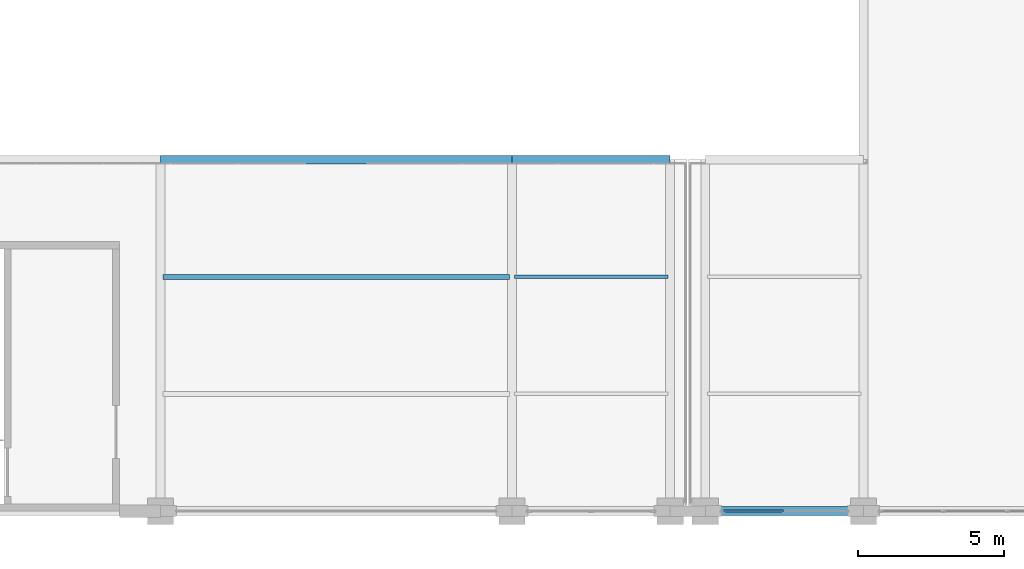
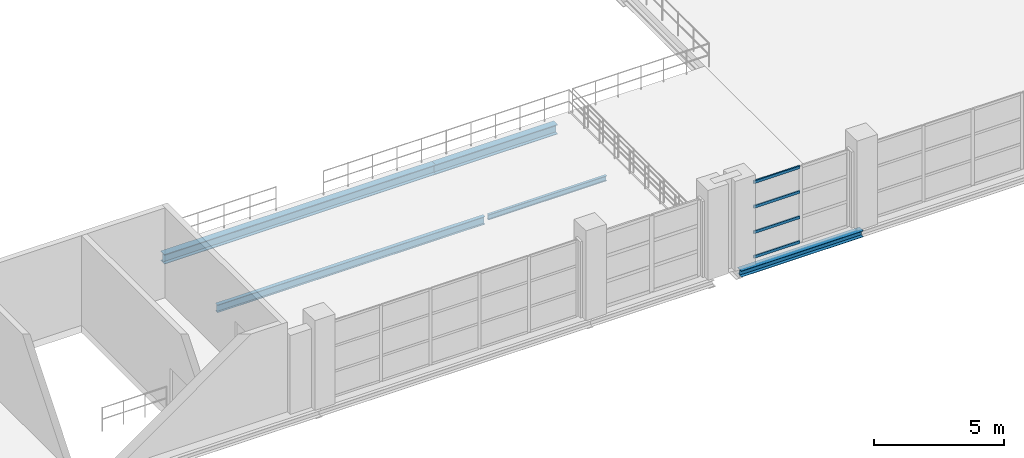
# One storey, part 69 of 158: 5 beams, 4 members, 1 element without a shape of its own.
"""IFC4 building model written with IfcOpenShell, lengths in metres."""

from ifc_helpers import new_model, si_unit, direction, frame, origin, origin_2d, place, context, subcontext, project, spatial, hollow_rectangle, i_section, extrude, material, layer, layer_set, material_profile, profile_set, type_object, element, aggregate, save


model = new_model("IFC4")

# Units and contexts
model_context = context("Model", 3, precision=1e-05, world=origin(), true_north=direction((0.0, 1.0)))
body_context = subcontext(model_context, "Body", "Model", "MODEL_VIEW")
ifc_project = project(units=[si_unit("LENGTHUNIT", "METRE"), si_unit("AREAUNIT", "SQUARE_METRE"), si_unit("VOLUMEUNIT", "CUBIC_METRE"), si_unit("PLANEANGLEUNIT", "RADIAN"), si_unit("MASSUNIT", "GRAM", prefix="KILO")], contexts=[model_context])

# Site, building, storey
site_placement = place(None, origin())
site = spatial("IfcSite", under=ifc_project, at=site_placement, CompositionType="ELEMENT")
building_placement = place(site_placement, origin())
building = spatial("IfcBuilding", under=site, at=building_placement, Name="Zilviju Railside Exhibition Hall", CompositionType="ELEMENT")
storey_placement = place(building_placement, frame((0.0, 0.0, 4.199951171875)))
storey = spatial("IfcBuildingStorey", under=building, at=storey_placement, Name="L02", CompositionType="ELEMENT", Elevation=4.199951171875)

# Beams
ifc_material_1 = material(Name="Steel S355J2", Category="steel")
ifc_material_profile_1 = material_profile(ifc_material_1, i_section(OverallWidth=0.300048828125, OverallDepth=0.2900390625, WebThickness=0.008544921875, FlangeThickness=0.013916015625, at=origin_2d()), Name="HEA 300")
ifc_profile_set_1 = profile_set([ifc_material_profile_1], Name="Steel S355J2")
beam_type_1 = type_object("IfcBeamType", Name="BM-HEA300", PredefinedType="SPANDREL", material=ifc_profile_set_1)
beam_1_placement = place(storey_placement, frame((174.60009765625, 0.0, -0.474853515625), z_axis=(1.0, 0.0, 0.0), x_axis=(0.0, 1.0, 0.0)))
element("IfcBeam", 1, at=beam_1_placement, inside=storey, type_object=beam_type_1, Name="Primary Girder L02 Y=0.0 (174.6..180.0)", PredefinedType="SPANDREL", context=body_context, shape_type="SweptSolid", body=[
    extrude(i_section(OverallWidth=0.300048828125, OverallDepth=0.2900390625, WebThickness=0.008544921875, FlangeThickness=0.013916015625, at=origin_2d()), origin(), (0.0, 0.0, 1.0), 5.39990234375),
])
ifc_material_profile_2 = material_profile(ifc_material_1, i_section(OverallWidth=0.300048828125, OverallDepth=0.449951171875, WebThickness=0.013916015625, FlangeThickness=0.02587890625, at=origin_2d()), Name="HEB 450")
ifc_profile_set_2 = profile_set([ifc_material_profile_2], Name="Steel S355J2")
beam_type_2 = type_object("IfcBeamType", Name="BM-HEB450", PredefinedType="BEAM", material=ifc_profile_set_2)
beam_2_placement = place(storey_placement, frame((156.0, 12.0, -0.554931640625), z_axis=(1.0, 0.0, 0.0), x_axis=(0.0, 1.0, 0.0)))
element("IfcBeam", 2, at=beam_2_placement, inside=storey, type_object=beam_type_2, Name="Primary Girder L02 Y=12.0 (156.0..168.0)", PredefinedType="BEAM", context=body_context, shape_type="SweptSolid", body=[
    extrude(i_section(OverallWidth=0.300048828125, OverallDepth=0.449951171875, WebThickness=0.013916015625, FlangeThickness=0.02587890625, at=origin_2d()), origin(), (0.0, 0.0, 1.0), 12.0),
])
beam_3_placement = place(storey_placement, frame((168.0, 12.0, -0.554931640625), z_axis=(1.0, 0.0, 0.0), x_axis=(0.0, 1.0, 0.0)))
element("IfcBeam", 3, at=beam_3_placement, inside=storey, type_object=beam_type_2, Name="Primary Girder L02 Y=12.0 (168.0..173.4)", PredefinedType="BEAM", context=body_context, shape_type="SweptSolid", body=[
    extrude(i_section(OverallWidth=0.300048828125, OverallDepth=0.449951171875, WebThickness=0.013916015625, FlangeThickness=0.02587890625, at=origin_2d()), origin(), (0.0, 0.0, 1.0), 5.39990234375),
])
ifc_material_profile_3 = material_profile(ifc_material_1, i_section(OverallWidth=0.1201171875, OverallDepth=0.239990234375, WebThickness=0.006103515625, FlangeThickness=0.009765625, at=origin_2d()), Name="IPE 240")
ifc_profile_set_3 = profile_set([ifc_material_profile_3], Name="Steel S355J2")
beam_type_3 = type_object("IfcBeamType", Name="BM-IPE240", PredefinedType="JOIST", material=ifc_profile_set_3)
beam_4_placement = place(storey_placement, frame((168.080078125, 8.0, -0.449951171875), z_axis=(1.0, 0.0, 0.0), x_axis=(0.0, 1.0, 0.0)))
element("IfcBeam", 4, at=beam_4_placement, inside=storey, type_object=beam_type_3, Name="Composite Floor Joist L02 Y=8.00 (168.0..173.4)", PredefinedType="JOIST", context=body_context, shape_type="SweptSolid", body=[
    extrude(i_section(OverallWidth=0.1201171875, OverallDepth=0.239990234375, WebThickness=0.006103515625, FlangeThickness=0.009765625, at=origin_2d()), origin(), (0.0, 0.0, 1.0), 5.239990234375),
])
ifc_material_profile_4 = material_profile(ifc_material_1, i_section(OverallWidth=0.169921875, OverallDepth=0.360107421875, WebThickness=0.008056640625, FlangeThickness=0.0126953125, at=origin_2d()), Name="IPE 360")
ifc_profile_set_4 = profile_set([ifc_material_profile_4], Name="Steel S355J2")
beam_type_4 = type_object("IfcBeamType", Name="BM-IPE360", PredefinedType="JOIST", material=ifc_profile_set_4)
beam_5_placement = place(storey_placement, frame((156.080078125, 8.0, -0.510009765625), z_axis=(1.0, 0.0, 0.0), x_axis=(0.0, 1.0, 0.0)))
element("IfcBeam", 5, at=beam_5_placement, inside=storey, type_object=beam_type_4, Name="Composite Floor Joist L02 Y=8.00 (156.0..168.0)", PredefinedType="JOIST", context=body_context, shape_type="SweptSolid", body=[
    extrude(i_section(OverallWidth=0.169921875, OverallDepth=0.360107421875, WebThickness=0.008056640625, FlangeThickness=0.0126953125, at=origin_2d()), origin(), (0.0, 0.0, 1.0), 11.83984375),
])

# Curtain wall, members
ifc_material_2 = material(Name="Thermally broken aluminium-steel triple-glazed curtain wall", Category="steel")
ifc_layer = layer(ifc_material_2, 0.179931640625)
ifc_layer_set = layer_set([ifc_layer], Name="Thermally broken aluminium-steel triple-glazed curtain wall")
curtain_wall_type = type_object("IfcCurtainWallType", Name="CW-BAY-14", PredefinedType="USERDEFINED", material=ifc_layer_set)
curtain_wall_placement = place(storey_placement, origin())
curtain_wall = element("IfcCurtainWall", 6, at=curtain_wall_placement, inside=storey, type_object=curtain_wall_type, Name="South Hall Facade Curtain Wall L02 (175..180)", ObjectType="GLAZED CURTAIN WALL", PredefinedType="USERDEFINED")
ifc_material_3 = material(Name="Thermally broken anodized aluminium transom", Category="aluminium")
ifc_material_profile_5 = material_profile(ifc_material_3, hollow_rectangle(XDim=0.06494140625, YDim=0.1298828125, WallThickness=0.0048828125, at=origin_2d()), Name="TRANSOM 130x65x5")
ifc_profile_set_5 = profile_set([ifc_material_profile_5], Name="Thermally broken anodized aluminium transom")
member_type = type_object("IfcMemberType", Name="CWT-65x130", PredefinedType="USERDEFINED", material=ifc_profile_set_5)
member_1_placement = place(storey_placement, frame((177.267578125, 0.0, 0.032470703125), z_axis=(-1.0, 0.0, 0.0), x_axis=(0.0, -1.0, 0.0)))
member_1 = element("IfcMember", 7, at=member_1_placement, type_object=member_type, Name="CW-14 transom 2.1", ObjectType="TRANSOM", PredefinedType="USERDEFINED", context=body_context, shape_type="SweptSolid", body=[
    extrude(hollow_rectangle(XDim=0.06494140625, YDim=0.1298828125, WallThickness=0.0048828125, at=origin_2d()), origin(), (0.0, 0.0, 1.0), 2.052490234375),
])
member_2_placement = place(storey_placement, frame((177.267578125, 0.0, 1.18701171875), z_axis=(-1.0, 0.0, 0.0), x_axis=(0.0, -1.0, 0.0)))
member_2 = element("IfcMember", 8, at=member_2_placement, type_object=member_type, Name="CW-14 transom 2.2", ObjectType="TRANSOM", PredefinedType="USERDEFINED", context=body_context, shape_type="SweptSolid", body=[
    extrude(hollow_rectangle(XDim=0.06494140625, YDim=0.1298828125, WallThickness=0.0048828125, at=origin_2d()), origin(), (0.0, 0.0, 1.0), 2.052490234375),
])
member_3_placement = place(storey_placement, frame((177.267578125, 0.0, 2.373046875), z_axis=(-1.0, 0.0, 0.0), x_axis=(0.0, -1.0, 0.0)))
member_3 = element("IfcMember", 9, at=member_3_placement, type_object=member_type, Name="CW-14 transom 2.3", ObjectType="TRANSOM", PredefinedType="USERDEFINED", context=body_context, shape_type="SweptSolid", body=[
    extrude(hollow_rectangle(XDim=0.06494140625, YDim=0.1298828125, WallThickness=0.0048828125, at=origin_2d()), origin(), (0.0, 0.0, 1.0), 2.052490234375),
])
member_4_placement = place(storey_placement, frame((177.267578125, 0.0, 3.527587890625), z_axis=(-1.0, 0.0, 0.0), x_axis=(0.0, -1.0, 0.0)))
member_4 = element("IfcMember", 10, at=member_4_placement, type_object=member_type, Name="CW-14 transom 2.4", ObjectType="TRANSOM", PredefinedType="USERDEFINED", context=body_context, shape_type="SweptSolid", body=[
    extrude(hollow_rectangle(XDim=0.06494140625, YDim=0.1298828125, WallThickness=0.0048828125, at=origin_2d()), origin(), (0.0, 0.0, 1.0), 2.052490234375),
])
aggregate(curtain_wall, [member_1, member_2, member_3, member_4])

save(model, "model.ifc")
